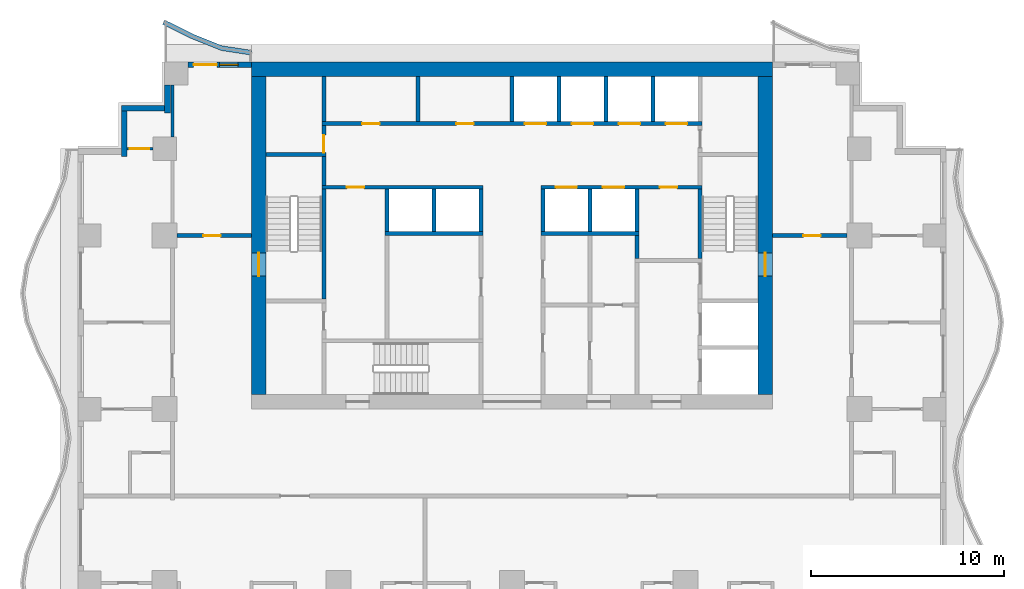
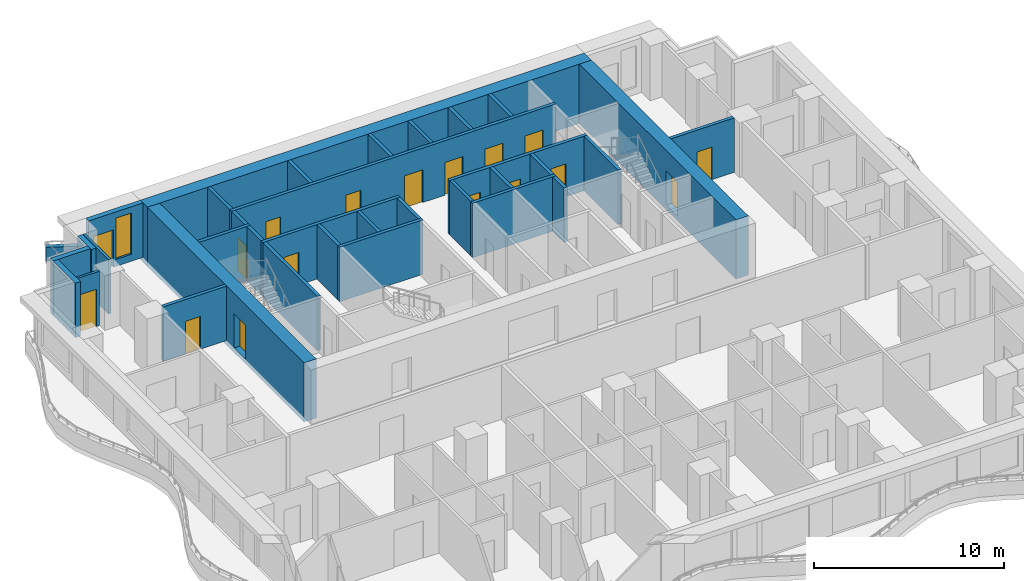
# One storey, part 5 of 10: 35 walls, 17 doors, 1 window, 18 openings.
"""IFC4 building model written with IfcOpenShell, lengths in metres."""

import ifcopenshell
import ifcopenshell.guid

model = None  # the IFC model being written
_history = None  # IfcOwnerHistory: only IFC2X3 demands one
_inside = {}  # id of a spatial element -> (the spatial element, [elements in it])
_under = {}  # id of a project, library or spatial element -> (it, [spatial elements below it])
_declared = {}  # id of a project -> (the project, [libraries it declares])
_typed = {}  # id of a type object -> (the type object, [elements of that type])
_made_of = {}  # id of a material, layer set ... -> (it, [elements and type objects made of it])


def new_model(schema):
    """Start an empty IFC model of exactly this schema.

    Asked for "IFC4X3", IfcOpenShell would pick the latest addendum, in which some entities
    have other attributes; the version numbers below select the first issue.
    IFC2X3 requires an IfcOwnerHistory on every rooted entity: one is made here for all.
    """
    global model, _history
    if schema == "IFC4X3":
        model = ifcopenshell.file(schema_version=(4, 3, 0, 0))
    else:
        model = ifcopenshell.file(schema=schema)
    _inside.clear()
    _under.clear()
    _declared.clear()
    _typed.clear()
    _made_of.clear()
    _history = None
    if model.schema == "IFC2X3":
        org = make("IfcOrganization", Name="unknown")
        user = make(
            "IfcPersonAndOrganization",
            ThePerson=make("IfcPerson", FamilyName="unknown"),
            TheOrganization=org,
        )
        app = make(
            "IfcApplication",
            ApplicationDeveloper=org,
            Version="unknown",
            ApplicationFullName="unknown",
            ApplicationIdentifier="unknown",
        )
        _history = make(
            "IfcOwnerHistory",
            OwningUser=user,
            OwningApplication=app,
            ChangeAction="ADDED",
            CreationDate=0,
        )
    return model


def make(cls, **values):
    """One entity of the class cls with the attributes given. An attribute that is None is left unset."""
    return model.create_entity(
        cls, **{name: value for name, value in values.items() if value is not None}
    )


def rooted(cls, **values):
    """An entity with a GlobalId (a new one), such as an element, a storey or a relation."""
    return make(cls, GlobalId=ifcopenshell.guid.new(), OwnerHistory=_history, **values)


def si_unit(unit_type, name, prefix=None):
    """IfcSIUnit, for example si_unit("LENGTHUNIT", "METRE", prefix="MILLI")."""
    return make("IfcSIUnit", UnitType=unit_type, Prefix=prefix, Name=name)


def assignment(units):
    """IfcUnitAssignment: the units of a project."""
    return None if units is None else make("IfcUnitAssignment", Units=units)


def point(xyz):
    """IfcCartesianPoint."""
    return None if xyz is None else make("IfcCartesianPoint", Coordinates=xyz)


def direction(xyz):
    """IfcDirection."""
    return None if xyz is None else make("IfcDirection", DirectionRatios=xyz)


def frame(location, z_axis=None, x_axis=None):
    """IfcAxis2Placement3D, a coordinate frame: its origin and axes. An axis left out is left unset."""
    return make(
        "IfcAxis2Placement3D",
        Location=point(location),
        Axis=direction(z_axis),
        RefDirection=direction(x_axis),
    )


def frame_2d(location, x_axis=None):
    """IfcAxis2Placement2D, a coordinate frame in the plane: its origin and x axis."""
    return make(
        "IfcAxis2Placement2D", Location=point(location), RefDirection=direction(x_axis)
    )


def origin():
    """The frame at (0, 0, 0) with its axes left unset."""
    return frame((0.0, 0.0, 0.0))


def place(relative_to, where):
    """IfcLocalPlacement: puts the frame where relative to a parent placement (None: the world)."""
    return make(
        "IfcLocalPlacement", PlacementRelTo=relative_to, RelativePlacement=where
    )


def context(
    kind, dimensions, precision=None, world=None, true_north=None, identifier=None
):
    """IfcGeometricRepresentationContext, for example the 3D "Model" context."""
    return make(
        "IfcGeometricRepresentationContext",
        ContextIdentifier=identifier,
        ContextType=kind,
        CoordinateSpaceDimension=dimensions,
        Precision=precision,
        WorldCoordinateSystem=world,
        TrueNorth=true_north,
    )


def subcontext(parent, identifier, kind, view, scale=None):
    """IfcGeometricRepresentationSubContext, for example "Body" below "Model"."""
    return make(
        "IfcGeometricRepresentationSubContext",
        ContextIdentifier=identifier,
        ContextType=kind,
        ParentContext=parent,
        TargetScale=scale,
        TargetView=view,
    )


def project(units=None, contexts=None):
    """IfcProject with its units and contexts."""
    return rooted(
        "IfcProject",
        Name="project",
        RepresentationContexts=contexts,
        UnitsInContext=assignment(units),
    )


def spatial(cls, under=None, at=None, **own):
    """A site, building, storey or space (cls), placed at a placement, below another one or the project."""
    s = rooted(cls, ObjectPlacement=at, **own)
    if under is not None:
        _under.setdefault(under.id(), (under, []))[1].append(s)
    return s


def polyline(points):
    """IfcPolyline through the points."""
    return make("IfcPolyline", Points=[point(p) for p in points])


def profile(cls, at=None, kind="AREA", **sizes):
    """A parametric profile (cls). Its sizes go by their IFC names, for example OverallWidth=200.0."""
    return make(cls, ProfileType=kind, Position=at, **sizes)


def rectangle(**sizes):
    """IfcRectangleProfileDef."""
    return profile("IfcRectangleProfileDef", **sizes)


def outline(outer, holes=None, kind="AREA"):
    """IfcArbitraryClosedProfileDef: a profile drawn as a closed curve; with holes, ...WithVoids."""
    if holes is None:
        return make("IfcArbitraryClosedProfileDef", ProfileType=kind, OuterCurve=outer)
    return make(
        "IfcArbitraryProfileDefWithVoids",
        ProfileType=kind,
        OuterCurve=outer,
        InnerCurves=holes,
    )


def extrude(swept, where, along, depth):
    """IfcExtrudedAreaSolid: the profile swept, set in the frame where, extruded along a direction by depth."""
    return make(
        "IfcExtrudedAreaSolid",
        SweptArea=swept,
        Position=where,
        ExtrudedDirection=direction(along),
        Depth=depth,
    )


def shape(context_of_items, identifier, shape_type, items):
    """IfcShapeRepresentation: the items that make up one representation, for example the "Body"."""
    return make(
        "IfcShapeRepresentation",
        ContextOfItems=context_of_items,
        RepresentationIdentifier=identifier,
        RepresentationType=shape_type,
        Items=items,
    )


def material(Name=None, Category=None):
    """IfcMaterial."""
    return make("IfcMaterial", Name=Name, Category=Category)


def layer(
    of_material, thickness, ventilated=None, Name=None, Category=None, Priority=None
):
    """IfcMaterialLayer: one layer of a wall or slab, of a material (None: an air gap)."""
    return make(
        "IfcMaterialLayer",
        Material=of_material,
        LayerThickness=thickness,
        IsVentilated=ventilated,
        Name=Name,
        Category=Category,
        Priority=Priority,
    )


def layer_set(layers, Name=None):
    """IfcMaterialLayerSet."""
    return make("IfcMaterialLayerSet", MaterialLayers=layers, LayerSetName=Name)


def made_of(thing, what):
    """Note that an element or type object is made of a material, layer set ...; save() writes the relation."""
    if what is not None:
        _made_of.setdefault(what.id(), (what, []))[1].append(thing)
    return thing


def type_object(cls, material=None, **own):
    """A type object (cls), such as IfcWallType, which elements share."""
    return made_of(rooted(cls, **own), material)


def element(
    cls,
    number,
    at=None,
    inside=None,
    cuts=None,
    type_object=None,
    material=None,
    context=None,
    identifier="Body",
    shape_type=None,
    held_by="IfcProductDefinitionShape",
    body=None,
    shapes=None,
    **own,
):
    """One element of the class cls, such as IfcWall. Its Tag is "e" and its number.

    at: its placement. inside: the storey or other place that contains it. cuts: it is an
    opening in that element (IfcRelVoidsElement). A single representation is given by context,
    identifier, shape_type and body (its items); several are given by shapes. held_by: the class
    of the entity that holds the representations. save() writes the other relations.
    """
    e = rooted(cls, Tag="e%d" % number, ObjectPlacement=at, **own)
    if body is not None:
        shapes = [shape(context, identifier, shape_type, body)]
    if shapes is not None:
        e.Representation = make(held_by, Representations=shapes)
    if inside is not None:
        _inside.setdefault(inside.id(), (inside, []))[1].append(e)
    if cuts is not None:
        rooted(
            "IfcRelVoidsElement", RelatingBuildingElement=cuts, RelatedOpeningElement=e
        )
    if type_object is not None:
        _typed.setdefault(type_object.id(), (type_object, []))[1].append(e)
    return made_of(e, material)


def fill(opening, filler):
    """IfcRelFillsElement: the door or window that sits in an opening."""
    return rooted(
        "IfcRelFillsElement",
        RelatingOpeningElement=opening,
        RelatedBuildingElement=filler,
    )


def aggregate(whole, parts):
    """IfcRelAggregates: a whole, such as a stair, and the parts it consists of."""
    return rooted("IfcRelAggregates", RelatingObject=whole, RelatedObjects=parts)


def save(model, path):
    """Write the relations noted so far, then the file.

    IfcRelAggregates (storeys below a building ...), IfcRelContainedInSpatialStructure (elements
    in a storey), IfcRelDefinesByType, IfcRelAssociatesMaterial and IfcRelDeclares: one each for
    every whole, place, type object, material and project.
    """
    for whole, parts in _under.values():
        aggregate(whole, parts)
    for where, things in _inside.values():
        rooted(
            "IfcRelContainedInSpatialStructure",
            RelatedElements=things,
            RelatingStructure=where,
        )
    for kind, things in _typed.values():
        rooted("IfcRelDefinesByType", RelatedObjects=things, RelatingType=kind)
    for what, things in _made_of.values():
        rooted("IfcRelAssociatesMaterial", RelatedObjects=things, RelatingMaterial=what)
    for by, libraries in _declared.values():
        rooted("IfcRelDeclares", RelatingContext=by, RelatedDefinitions=libraries)
    model.write(path)


model = new_model("IFC4")

# Units and contexts
model_context = context("Model", 3, precision=1e-05, world=origin(), true_north=direction((0.0, 1.0)))
body_context = subcontext(model_context, "Body", "Model", "MODEL_VIEW")
ifc_project = project(units=[si_unit("LENGTHUNIT", "METRE"), si_unit("AREAUNIT", "SQUARE_METRE"), si_unit("VOLUMEUNIT", "CUBIC_METRE"), si_unit("PLANEANGLEUNIT", "RADIAN"), si_unit("MASSUNIT", "GRAM", prefix="KILO")], contexts=[model_context])

# Site, building, storey
site_placement = place(None, origin())
site = spatial("IfcSite", under=ifc_project, at=site_placement, CompositionType="ELEMENT")
building_placement = place(site_placement, origin())
building = spatial("IfcBuilding", under=site, at=building_placement, Name="Orbiselva Terraces", CompositionType="ELEMENT")
storey_placement = place(building_placement, frame((0.0, 0.0, 136.4)))
storey = spatial("IfcBuildingStorey", under=building, at=storey_placement, Name="L34", CompositionType="ELEMENT", Elevation=136.4)

# Wall, opening, door
ifc_material_1 = material(Name="Concrete C80/95", Category="concrete")
ifc_layer_1 = layer(ifc_material_1, 0.75)
ifc_layer_set_1 = layer_set([ifc_layer_1], Name="Concrete C80/95")
wall_type_1 = type_object("IfcWallType", Name="CORE WALL 750", PredefinedType="SHEAR", material=ifc_layer_set_1)
wall_1_placement = place(storey_placement, frame((13.125, 5.25, -0.3), z_axis=(0.0, 0.0, 1.0), x_axis=(0.0, 1.0, 0.0)))
wall_1 = element("IfcWall", 1, at=wall_1_placement, inside=storey, type_object=wall_type_1, Name="Core wall L34 east", PredefinedType="SHEAR", context=body_context, shape_type="SweptSolid", body=[
    extrude(rectangle(XDim=16.5, YDim=0.75, at=frame_2d((8.25, 0.0))), origin(), (0.0, 0.0, 1.0), 3.8),
])
opening_1_placement = place(wall_1_placement, frame((6.15, 0.0, 0.3)))
opening_1 = element("IfcOpeningElement", 2, at=opening_1_placement, cuts=wall_1, Name="Opening DS1200", PredefinedType="OPENING", context=body_context, shape_type="SweptSolid", body=[
    extrude(rectangle(XDim=1.2, YDim=2.2, at=frame_2d((0.6, 1.1))), frame((0.0, 0.385, 0.0), z_axis=(0.0, -1.0, 0.0), x_axis=(1.0, 0.0, 0.0)), (0.0, 0.0, 1.0), 0.77),
])
ifc_material_2 = material(Name="Steel fire door", Category="steel")
door_type_1 = type_object("IfcDoorType", Name="STAIR DOOR 1200", OperationType="NOTDEFINED", PredefinedType="DOOR", material=ifc_material_2)
door_1_placement = place(opening_1_placement, frame((1.2, 0.0, 0.0), z_axis=(0.0, 0.0, 1.0), x_axis=(-1.0, 0.0, 0.0)))
door_1 = element("IfcDoor", 3, at=door_1_placement, inside=storey, type_object=door_type_1, Name="L34 EXIT STAIR S2 door", OperationType="SINGLE_SWING_LEFT", OverallHeight=2.2, OverallWidth=1.2, PredefinedType="DOOR", context=body_context, shape_type="SweptSolid", body=[
    extrude(rectangle(XDim=1.2, YDim=2.2, at=frame_2d((0.6, 1.1))), frame((0.0, 0.025, 0.0), z_axis=(0.0, -1.0, 0.0), x_axis=(1.0, 0.0, 0.0)), (0.0, 0.0, 1.0), 0.05),
])
fill(opening_1, door_1)

wall_2_placement = place(storey_placement, frame((-13.125, 21.75, -0.3), z_axis=(0.0, 0.0, 1.0), x_axis=(0.0, -1.0, 0.0)))
wall_2 = element("IfcWall", 4, at=wall_2_placement, inside=storey, type_object=wall_type_1, Name="Core wall L34 west", PredefinedType="SHEAR", context=body_context, shape_type="SweptSolid", body=[
    extrude(rectangle(XDim=16.5, YDim=0.75, at=frame_2d((8.25, 0.0))), origin(), (0.0, 0.0, 1.0), 3.8),
])
opening_2_placement = place(wall_2_placement, frame((9.15, 0.0, 0.3)))
opening_2 = element("IfcOpeningElement", 5, at=opening_2_placement, cuts=wall_2, Name="Opening DS1200", PredefinedType="OPENING", context=body_context, shape_type="SweptSolid", body=[
    extrude(rectangle(XDim=1.2, YDim=2.2, at=frame_2d((0.6, 1.1))), frame((0.0, 0.385, 0.0), z_axis=(0.0, -1.0, 0.0), x_axis=(1.0, 0.0, 0.0)), (0.0, 0.0, 1.0), 0.77),
])
door_2_placement = place(opening_2_placement, frame((1.2, 0.0, 0.0), z_axis=(0.0, 0.0, 1.0), x_axis=(-1.0, 0.0, 0.0)))
door_2 = element("IfcDoor", 6, at=door_2_placement, inside=storey, type_object=door_type_1, Name="L34 EXIT STAIR S1 door", OperationType="SINGLE_SWING_RIGHT", OverallHeight=2.2, OverallWidth=1.2, PredefinedType="DOOR", context=body_context, shape_type="SweptSolid", body=[
    extrude(rectangle(XDim=1.2, YDim=2.2, at=frame_2d((0.6, 1.1))), frame((0.0, 0.025, 0.0), z_axis=(0.0, -1.0, 0.0), x_axis=(1.0, 0.0, 0.0)), (0.0, 0.0, 1.0), 0.05),
])
fill(opening_2, door_2)

# Wall
ifc_layer_2 = layer(ifc_material_1, 0.75)
ifc_layer_set_2 = layer_set([ifc_layer_2], Name="Concrete C80/95")
wall_type_2 = type_object("IfcWallType", Name="CORE WALL 750 EXTERNAL", PredefinedType="SHEAR", material=ifc_layer_set_2)
wall_3_placement = place(storey_placement, frame((13.5, 22.125, -0.3), z_axis=(0.0, 0.0, 1.0), x_axis=(-1.0, 0.0, 0.0)))
element("IfcWall", 7, at=wall_3_placement, inside=storey, type_object=wall_type_2, Name="Core wall L34 north", PredefinedType="SHEAR", context=body_context, shape_type="SweptSolid", body=[
    extrude(rectangle(XDim=27.0, YDim=0.75, at=frame_2d((13.5, 0.0))), origin(), (0.0, 0.0, 1.0), 3.8),
])

# Wall, opening, door
ifc_material_3 = material(Name="Masonry blockwork", Category="masonry")
ifc_layer_3 = layer(ifc_material_3, 0.2)
ifc_layer_set_3 = layer_set([ifc_layer_3], Name="Masonry blockwork")
wall_type_3 = type_object("IfcWallType", Name="CORE-WALL-PARTITION-200", PredefinedType="PARTITIONING", material=ifc_layer_set_3)
wall_4_placement = place(storey_placement, frame((-9.75, 17.8, 0.0), z_axis=(0.0, 0.0, 1.0), x_axis=(0.0, 1.0, 0.0)))
wall_4 = element("IfcWall", 8, at=wall_4_placement, inside=storey, type_object=wall_type_3, Name="L34 core wall 09", PredefinedType="PARTITIONING", context=body_context, shape_type="SweptSolid", body=[
    extrude(rectangle(XDim=1.4, YDim=0.2, at=frame_2d((0.7, 0.0))), origin(), (0.0, 0.0, 1.0), 3.5),
])
opening_3_placement = place(wall_4_placement, origin())
opening_3 = element("IfcOpeningElement", 9, at=opening_3_placement, cuts=wall_4, Name="Opening DR900", PredefinedType="OPENING", context=body_context, shape_type="SweptSolid", body=[
    extrude(rectangle(XDim=0.9, YDim=2.1, at=frame_2d((0.45, 1.05))), frame((0.0, 0.11, 0.0), z_axis=(0.0, -1.0, 0.0), x_axis=(1.0, 0.0, 0.0)), (0.0, 0.0, 1.0), 0.22),
])
door_type_2 = type_object("IfcDoorType", Name="ROOM DOOR 900", OperationType="NOTDEFINED", PredefinedType="DOOR", material=ifc_material_2)
door_3_placement = place(opening_3_placement, origin())
door_3 = element("IfcDoor", 10, at=door_3_placement, inside=storey, type_object=door_type_2, Name="L34 ELECTRICAL RISER ROOM door", OperationType="SINGLE_SWING_LEFT", OverallHeight=2.1, OverallWidth=0.9, PredefinedType="DOOR", context=body_context, shape_type="SweptSolid", body=[
    extrude(rectangle(XDim=0.9, YDim=2.1, at=frame_2d((0.45, 1.05))), frame((0.0, 0.025, 0.0), z_axis=(0.0, -1.0, 0.0), x_axis=(1.0, 0.0, 0.0)), (0.0, 0.0, 1.0), 0.05),
])
fill(opening_3, door_3)

# Walls
for number, where, z_axis, x_axis, name in (
    (11, (-9.75, 19.4, 0.0), (0.0, 0.0, 1.0), (0.0, 1.0, 0.0), "L34 core wall 11"),
    (12, (-4.875, 19.4, 0.0), (0.0, 0.0, 1.0), (0.0, 1.0, 0.0), "L34 core wall 15"),
):
    element("IfcWall", number, at=place(storey_placement, frame(where, z_axis=z_axis, x_axis=x_axis)), inside=storey, type_object=wall_type_3, Name=name, PredefinedType="PARTITIONING", context=body_context, shape_type="SweptSolid", body=[
        extrude(rectangle(XDim=2.35, YDim=0.2, at=frame_2d((1.175, 0.0))), origin(), (0.0, 0.0, 1.0), 3.5),
    ])
wall_5_placement = place(storey_placement, frame((6.475, 12.3, 0.0), z_axis=(0.0, 0.0, 1.0), x_axis=(0.0, 1.0, 0.0)))
element("IfcWall", 13, at=wall_5_placement, inside=storey, type_object=wall_type_3, Name="L34 core wall 35", PredefinedType="PARTITIONING", context=body_context, shape_type="SweptSolid", body=[
    extrude(rectangle(XDim=1.2, YDim=0.2, at=frame_2d((0.6, 0.0))), origin(), (0.0, 0.0, 1.0), 3.5),
])
ifc_material_4 = material(Name="Concrete C40/50", Category="concrete")
ifc_layer_4 = layer(ifc_material_4, 0.2)
ifc_layer_set_4 = layer_set([ifc_layer_4], Name="Concrete C40/50")
wall_type_4 = type_object("IfcWallType", Name="CORE-WALL-SHAFT-200", PredefinedType="PARTITIONING", material=ifc_layer_set_4)
for number, where, z_axis, x_axis, name in (
    (14, (-6.475, 13.7, 0.0), (0.0, 0.0, 1.0), (0.0, 1.0, 0.0), "L34 core wall 14"),
    (15, (-4.0375, 13.7, 0.0), (0.0, 0.0, 1.0), (0.0, 1.0, 0.0), "L34 core wall 16"),
    (16, (-1.6, 13.7, 0.0), (0.0, 0.0, 1.0), (0.0, 1.0, 0.0), "L34 core wall 19"),
):
    element("IfcWall", number, at=place(storey_placement, frame(where, z_axis=z_axis, x_axis=x_axis)), inside=storey, type_object=wall_type_4, Name=name, PredefinedType="PARTITIONING", context=body_context, shape_type="SweptSolid", body=[
        extrude(rectangle(XDim=2.2, YDim=0.2, at=frame_2d((1.1, 0.0))), origin(), (0.0, 0.0, 1.0), 3.5),
    ])
wall_6_placement = place(storey_placement, frame((0.0, 19.4, 0.0), z_axis=(0.0, 0.0, 1.0), x_axis=(0.0, 1.0, 0.0)))
element("IfcWall", 17, at=wall_6_placement, inside=storey, type_object=wall_type_4, Name="L34 core wall 20", PredefinedType="PARTITIONING", context=body_context, shape_type="SweptSolid", body=[
    extrude(rectangle(XDim=2.35, YDim=0.2, at=frame_2d((1.175, 0.0))), origin(), (0.0, 0.0, 1.0), 3.5),
])
wall_7_placement = place(storey_placement, frame((1.6, 13.7, 0.0), z_axis=(0.0, 0.0, 1.0), x_axis=(0.0, 1.0, 0.0)))
element("IfcWall", 18, at=wall_7_placement, inside=storey, type_object=wall_type_4, Name="L34 core wall 25", PredefinedType="PARTITIONING", context=body_context, shape_type="SweptSolid", body=[
    extrude(rectangle(XDim=2.2, YDim=0.2, at=frame_2d((1.1, 0.0))), origin(), (0.0, 0.0, 1.0), 3.5),
])
wall_8_placement = place(storey_placement, frame((2.4375, 19.4, 0.0), z_axis=(0.0, 0.0, 1.0), x_axis=(0.0, 1.0, 0.0)))
element("IfcWall", 19, at=wall_8_placement, inside=storey, type_object=wall_type_4, Name="L34 core wall 27", PredefinedType="PARTITIONING", context=body_context, shape_type="SweptSolid", body=[
    extrude(rectangle(XDim=2.35, YDim=0.2, at=frame_2d((1.175, 0.0))), origin(), (0.0, 0.0, 1.0), 3.5),
])
wall_9_placement = place(storey_placement, frame((4.0375, 13.7, 0.0), z_axis=(0.0, 0.0, 1.0), x_axis=(0.0, 1.0, 0.0)))
element("IfcWall", 20, at=wall_9_placement, inside=storey, type_object=wall_type_4, Name="L34 core wall 30", PredefinedType="PARTITIONING", context=body_context, shape_type="SweptSolid", body=[
    extrude(rectangle(XDim=2.2, YDim=0.2, at=frame_2d((1.1, 0.0))), origin(), (0.0, 0.0, 1.0), 3.5),
])
wall_10_placement = place(storey_placement, frame((4.875, 19.4, 0.0), z_axis=(0.0, 0.0, 1.0), x_axis=(0.0, 1.0, 0.0)))
element("IfcWall", 21, at=wall_10_placement, inside=storey, type_object=wall_type_4, Name="L34 core wall 31", PredefinedType="PARTITIONING", context=body_context, shape_type="SweptSolid", body=[
    extrude(rectangle(XDim=2.35, YDim=0.2, at=frame_2d((1.175, 0.0))), origin(), (0.0, 0.0, 1.0), 3.5),
])
wall_11_placement = place(storey_placement, frame((6.475, 13.7, 0.0), z_axis=(0.0, 0.0, 1.0), x_axis=(0.0, 1.0, 0.0)))
element("IfcWall", 22, at=wall_11_placement, inside=storey, type_object=wall_type_4, Name="L34 core wall 36", PredefinedType="PARTITIONING", context=body_context, shape_type="SweptSolid", body=[
    extrude(rectangle(XDim=2.2, YDim=0.2, at=frame_2d((1.1, 0.0))), origin(), (0.0, 0.0, 1.0), 3.5),
])
wall_12_placement = place(storey_placement, frame((7.3125, 19.4, 0.0), z_axis=(0.0, 0.0, 1.0), x_axis=(0.0, 1.0, 0.0)))
element("IfcWall", 23, at=wall_12_placement, inside=storey, type_object=wall_type_4, Name="L34 core wall 37", PredefinedType="PARTITIONING", context=body_context, shape_type="SweptSolid", body=[
    extrude(rectangle(XDim=2.35, YDim=0.2, at=frame_2d((1.175, 0.0))), origin(), (0.0, 0.0, 1.0), 3.5),
])
ifc_material_5 = material(Name="Concrete C60/75", Category="concrete")
ifc_layer_5 = layer(ifc_material_5, 0.2)
ifc_layer_set_5 = layer_set([ifc_layer_5], Name="Concrete C60/75")
wall_type_5 = type_object("IfcWallType", Name="CORE-WALL-SHEAR-200", PredefinedType="SHEAR", material=ifc_layer_set_5)
wall_13_placement = place(storey_placement, frame((-12.75, 17.7, 0.0), z_axis=(0.0, 0.0, 1.0), x_axis=(1.0, 0.0, 0.0)))
element("IfcWall", 24, at=wall_13_placement, inside=storey, type_object=wall_type_5, Name="L34 core wall 02", PredefinedType="SHEAR", context=body_context, shape_type="SweptSolid", body=[
    extrude(rectangle(XDim=3.1, YDim=0.2, at=frame_2d((1.55, 0.0))), origin(), (0.0, 0.0, 1.0), 3.5),
])
wall_14_placement = place(storey_placement, frame((-9.75, 10.2, 0.0), z_axis=(0.0, 0.0, 1.0), x_axis=(0.0, 1.0, 0.0)))
element("IfcWall", 25, at=wall_14_placement, inside=storey, type_object=wall_type_5, Name="L34 core wall 06", PredefinedType="SHEAR", context=body_context, shape_type="SweptSolid", body=[
    extrude(rectangle(XDim=5.7, YDim=0.2, at=frame_2d((2.85, 0.0))), origin(), (0.0, 0.0, 1.0), 3.5),
])

# Wall, opening, door
wall_15_placement = place(storey_placement, frame((-1.5, 16.0, 0.0), z_axis=(0.0, 0.0, 1.0), x_axis=(-1.0, 0.0, 0.0)))
wall_15 = element("IfcWall", 26, at=wall_15_placement, inside=storey, type_object=wall_type_5, Name="L34 core wall 07", PredefinedType="SHEAR", context=body_context, shape_type="SweptSolid", body=[
    extrude(rectangle(XDim=8.35, YDim=0.2, at=frame_2d((4.175, 0.0))), origin(), (0.0, 0.0, 1.0), 3.5),
])
opening_4_placement = place(wall_15_placement, frame((6.1625, 0.0, 0.0)))
opening_4 = element("IfcOpeningElement", 27, at=opening_4_placement, cuts=wall_15, Name="Opening DR900", PredefinedType="OPENING", context=body_context, shape_type="SweptSolid", body=[
    extrude(rectangle(XDim=0.9, YDim=2.1, at=frame_2d((0.45, 1.05))), frame((0.0, 0.11, 0.0), z_axis=(0.0, -1.0, 0.0), x_axis=(1.0, 0.0, 0.0)), (0.0, 0.0, 1.0), 0.22),
])
door_4_placement = place(opening_4_placement, origin())
door_4 = element("IfcDoor", 28, at=door_4_placement, inside=storey, type_object=door_type_2, Name="L34 STAFF PANTRY door", OperationType="SINGLE_SWING_RIGHT", OverallHeight=2.1, OverallWidth=0.9, PredefinedType="DOOR", context=body_context, shape_type="SweptSolid", body=[
    extrude(rectangle(XDim=0.9, YDim=2.1, at=frame_2d((0.45, 1.05))), frame((0.0, 0.025, 0.0), z_axis=(0.0, -1.0, 0.0), x_axis=(1.0, 0.0, 0.0)), (0.0, 0.0, 1.0), 0.05),
])
fill(opening_4, door_4)

# Wall
wall_16_placement = place(storey_placement, frame((-9.75, 16.1, 0.0), z_axis=(0.0, 0.0, 1.0), x_axis=(0.0, 1.0, 0.0)))
element("IfcWall", 29, at=wall_16_placement, inside=storey, type_object=wall_type_5, Name="L34 core wall 08", PredefinedType="SHEAR", context=body_context, shape_type="SweptSolid", body=[
    extrude(rectangle(XDim=1.5, YDim=0.2, at=frame_2d((0.75, 0.0))), origin(), (0.0, 0.0, 1.0), 3.5),
])

# Wall, openings, doors
wall_17_placement = place(storey_placement, frame((-9.85, 19.3, 0.0), z_axis=(0.0, 0.0, 1.0), x_axis=(1.0, 0.0, 0.0)))
wall_17 = element("IfcWall", 30, at=wall_17_placement, inside=storey, type_object=wall_type_5, Name="L34 core wall 10", PredefinedType="SHEAR", context=body_context, shape_type="SweptSolid", body=[
    extrude(rectangle(XDim=19.7, YDim=0.2, at=frame_2d((9.85, 0.0))), origin(), (0.0, 0.0, 1.0), 3.5),
])
opening_5_placement = place(wall_17_placement, frame((10.51875, 0.0, 0.0)))
opening_5 = element("IfcOpeningElement", 31, at=opening_5_placement, cuts=wall_17, Name="Opening LD-HR1", PredefinedType="OPENING", context=body_context, shape_type="SweptSolid", body=[
    extrude(rectangle(XDim=1.1, YDim=2.1, at=frame_2d((0.55, 1.05))), frame((0.0, 0.11, 0.0), z_axis=(0.0, -1.0, 0.0), x_axis=(1.0, 0.0, 0.0)), (0.0, 0.0, 1.0), 0.22),
])
opening_6_placement = place(wall_17_placement, frame((12.95625, 0.0, 0.0)))
opening_6 = element("IfcOpeningElement", 32, at=opening_6_placement, cuts=wall_17, Name="Opening LD-HR2", PredefinedType="OPENING", context=body_context, shape_type="SweptSolid", body=[
    extrude(rectangle(XDim=1.1, YDim=2.1, at=frame_2d((0.55, 1.05))), frame((0.0, 0.11, 0.0), z_axis=(0.0, -1.0, 0.0), x_axis=(1.0, 0.0, 0.0)), (0.0, 0.0, 1.0), 0.22),
])
opening_7_placement = place(wall_17_placement, frame((15.39375, 0.0, 0.0)))
opening_7 = element("IfcOpeningElement", 33, at=opening_7_placement, cuts=wall_17, Name="Opening LD-HR3", PredefinedType="OPENING", context=body_context, shape_type="SweptSolid", body=[
    extrude(rectangle(XDim=1.1, YDim=2.1, at=frame_2d((0.55, 1.05))), frame((0.0, 0.11, 0.0), z_axis=(0.0, -1.0, 0.0), x_axis=(1.0, 0.0, 0.0)), (0.0, 0.0, 1.0), 0.22),
])
opening_8_placement = place(wall_17_placement, frame((17.83125, 0.0, 0.0)))
opening_8 = element("IfcOpeningElement", 34, at=opening_8_placement, cuts=wall_17, Name="Opening LD-HR4", PredefinedType="OPENING", context=body_context, shape_type="SweptSolid", body=[
    extrude(rectangle(XDim=1.1, YDim=2.1, at=frame_2d((0.55, 1.05))), frame((0.0, 0.11, 0.0), z_axis=(0.0, -1.0, 0.0), x_axis=(1.0, 0.0, 0.0)), (0.0, 0.0, 1.0), 0.22),
])
opening_9_placement = place(wall_17_placement, frame((2.0875, 0.0, 0.0)))
opening_9 = element("IfcOpeningElement", 35, at=opening_9_placement, cuts=wall_17, Name="Opening DR900", PredefinedType="OPENING", context=body_context, shape_type="SweptSolid", body=[
    extrude(rectangle(XDim=0.9, YDim=2.1, at=frame_2d((0.45, 1.05))), frame((0.0, 0.11, 0.0), z_axis=(0.0, -1.0, 0.0), x_axis=(1.0, 0.0, 0.0)), (0.0, 0.0, 1.0), 0.22),
])
opening_10_placement = place(wall_17_placement, frame((6.9625, 0.0, 0.0)))
opening_10 = element("IfcOpeningElement", 36, at=opening_10_placement, cuts=wall_17, Name="Opening DR900", PredefinedType="OPENING", context=body_context, shape_type="SweptSolid", body=[
    extrude(rectangle(XDim=0.9, YDim=2.1, at=frame_2d((0.45, 1.05))), frame((0.0, 0.11, 0.0), z_axis=(0.0, -1.0, 0.0), x_axis=(1.0, 0.0, 0.0)), (0.0, 0.0, 1.0), 0.22),
])
ifc_material_6 = material(Name="Stainless steel landing door", Category="steel")
door_type_3 = type_object("IfcDoorType", Name="LANDING DOOR 1100", OperationType="SLIDING_TO_LEFT", PredefinedType="DOOR", material=ifc_material_6)
door_5_placement = place(opening_5_placement, origin())
door_5 = element("IfcDoor", 37, at=door_5_placement, inside=storey, type_object=door_type_3, Name="L34 landing door HR1", OperationType="SLIDING_TO_RIGHT", OverallHeight=2.1, OverallWidth=1.1, PredefinedType="DOOR", context=body_context, shape_type="SweptSolid", body=[
    extrude(rectangle(XDim=1.1, YDim=2.1, at=frame_2d((0.55, 1.05))), frame((0.0, 0.025, 0.0), z_axis=(0.0, -1.0, 0.0), x_axis=(1.0, 0.0, 0.0)), (0.0, 0.0, 1.0), 0.05),
])
fill(opening_5, door_5)
door_6_placement = place(opening_6_placement, origin())
door_6 = element("IfcDoor", 38, at=door_6_placement, inside=storey, type_object=door_type_3, Name="L34 landing door HR2", OperationType="SLIDING_TO_RIGHT", OverallHeight=2.1, OverallWidth=1.1, PredefinedType="DOOR", context=body_context, shape_type="SweptSolid", body=[
    extrude(rectangle(XDim=1.1, YDim=2.1, at=frame_2d((0.55, 1.05))), frame((0.0, 0.025, 0.0), z_axis=(0.0, -1.0, 0.0), x_axis=(1.0, 0.0, 0.0)), (0.0, 0.0, 1.0), 0.05),
])
fill(opening_6, door_6)
door_7_placement = place(opening_7_placement, origin())
door_7 = element("IfcDoor", 39, at=door_7_placement, inside=storey, type_object=door_type_3, Name="L34 landing door HR3", OperationType="SLIDING_TO_RIGHT", OverallHeight=2.1, OverallWidth=1.1, PredefinedType="DOOR", context=body_context, shape_type="SweptSolid", body=[
    extrude(rectangle(XDim=1.1, YDim=2.1, at=frame_2d((0.55, 1.05))), frame((0.0, 0.025, 0.0), z_axis=(0.0, -1.0, 0.0), x_axis=(1.0, 0.0, 0.0)), (0.0, 0.0, 1.0), 0.05),
])
fill(opening_7, door_7)
door_8_placement = place(opening_8_placement, origin())
door_8 = element("IfcDoor", 40, at=door_8_placement, inside=storey, type_object=door_type_3, Name="L34 landing door HR4", OperationType="SLIDING_TO_RIGHT", OverallHeight=2.1, OverallWidth=1.1, PredefinedType="DOOR", context=body_context, shape_type="SweptSolid", body=[
    extrude(rectangle(XDim=1.1, YDim=2.1, at=frame_2d((0.55, 1.05))), frame((0.0, 0.025, 0.0), z_axis=(0.0, -1.0, 0.0), x_axis=(1.0, 0.0, 0.0)), (0.0, 0.0, 1.0), 0.05),
])
fill(opening_8, door_8)
door_9_placement = place(opening_9_placement, origin())
door_9 = element("IfcDoor", 41, at=door_9_placement, inside=storey, type_object=door_type_2, Name="L34 PANTRY door", OperationType="SINGLE_SWING_LEFT", OverallHeight=2.1, OverallWidth=0.9, PredefinedType="DOOR", context=body_context, shape_type="SweptSolid", body=[
    extrude(rectangle(XDim=0.9, YDim=2.1, at=frame_2d((0.45, 1.05))), frame((0.0, 0.025, 0.0), z_axis=(0.0, -1.0, 0.0), x_axis=(1.0, 0.0, 0.0)), (0.0, 0.0, 1.0), 0.05),
])
fill(opening_9, door_9)
door_10_placement = place(opening_10_placement, origin())
door_10 = element("IfcDoor", 42, at=door_10_placement, inside=storey, type_object=door_type_2, Name="L34 STAFF LOUNGE door", OperationType="SINGLE_SWING_LEFT", OverallHeight=2.1, OverallWidth=0.9, PredefinedType="DOOR", context=body_context, shape_type="SweptSolid", body=[
    extrude(rectangle(XDim=0.9, YDim=2.1, at=frame_2d((0.45, 1.05))), frame((0.0, 0.025, 0.0), z_axis=(0.0, -1.0, 0.0), x_axis=(1.0, 0.0, 0.0)), (0.0, 0.0, 1.0), 0.05),
])
fill(opening_10, door_10)

# Walls
for number, where, z_axis, x_axis, name in (
    (43, (-6.575, 13.6, 0.0), (0.0, 0.0, 1.0), (1.0, 0.0, 0.0), "L34 core wall 13"),
    (44, (1.5, 13.6, 0.0), (0.0, 0.0, 1.0), (1.0, 0.0, 0.0), "L34 core wall 24"),
):
    element("IfcWall", number, at=place(storey_placement, frame(where, z_axis=z_axis, x_axis=x_axis)), inside=storey, type_object=wall_type_5, Name=name, PredefinedType="SHEAR", context=body_context, shape_type="SweptSolid", body=[
        extrude(rectangle(XDim=5.075, YDim=0.2, at=frame_2d((2.5375, 0.0))), origin(), (0.0, 0.0, 1.0), 3.5),
    ])

# Wall, openings, doors
wall_18_placement = place(storey_placement, frame((9.85, 16.0, 0.0), z_axis=(0.0, 0.0, 1.0), x_axis=(-1.0, 0.0, 0.0)))
wall_18 = element("IfcWall", 45, at=wall_18_placement, inside=storey, type_object=wall_type_5, Name="L34 core wall 26", PredefinedType="SHEAR", context=body_context, shape_type="SweptSolid", body=[
    extrude(rectangle(XDim=8.35, YDim=0.2, at=frame_2d((4.175, 0.0))), origin(), (0.0, 0.0, 1.0), 3.5),
])
opening_11_placement = place(wall_18_placement, frame((6.48125, 0.0, 0.0)))
opening_11 = element("IfcOpeningElement", 46, at=opening_11_placement, cuts=wall_18, Name="Opening LD-HR5", PredefinedType="OPENING", context=body_context, shape_type="SweptSolid", body=[
    extrude(rectangle(XDim=1.1, YDim=2.1, at=frame_2d((0.55, 1.05))), frame((0.0, 0.11, 0.0), z_axis=(0.0, -1.0, 0.0), x_axis=(1.0, 0.0, 0.0)), (0.0, 0.0, 1.0), 0.22),
])
opening_12_placement = place(wall_18_placement, frame((4.04375, 0.0, 0.0)))
opening_12 = element("IfcOpeningElement", 47, at=opening_12_placement, cuts=wall_18, Name="Opening LD-HR6", PredefinedType="OPENING", context=body_context, shape_type="SweptSolid", body=[
    extrude(rectangle(XDim=1.1, YDim=2.1, at=frame_2d((0.55, 1.05))), frame((0.0, 0.11, 0.0), z_axis=(0.0, -1.0, 0.0), x_axis=(1.0, 0.0, 0.0)), (0.0, 0.0, 1.0), 0.22),
])
opening_13_placement = place(wall_18_placement, frame((1.2875, 0.0, 0.0)))
opening_13 = element("IfcOpeningElement", 48, at=opening_13_placement, cuts=wall_18, Name="Opening DR900", PredefinedType="OPENING", context=body_context, shape_type="SweptSolid", body=[
    extrude(rectangle(XDim=0.9, YDim=2.1, at=frame_2d((0.45, 1.05))), frame((0.0, 0.11, 0.0), z_axis=(0.0, -1.0, 0.0), x_axis=(1.0, 0.0, 0.0)), (0.0, 0.0, 1.0), 0.22),
])
door_11_placement = place(opening_11_placement, origin())
door_11 = element("IfcDoor", 49, at=door_11_placement, inside=storey, type_object=door_type_3, Name="L34 landing door HR5", OperationType="SLIDING_TO_RIGHT", OverallHeight=2.1, OverallWidth=1.1, PredefinedType="DOOR", context=body_context, shape_type="SweptSolid", body=[
    extrude(rectangle(XDim=1.1, YDim=2.1, at=frame_2d((0.55, 1.05))), frame((0.0, 0.025, 0.0), z_axis=(0.0, -1.0, 0.0), x_axis=(1.0, 0.0, 0.0)), (0.0, 0.0, 1.0), 0.05),
])
fill(opening_11, door_11)
door_12_placement = place(opening_12_placement, origin())
door_12 = element("IfcDoor", 50, at=door_12_placement, inside=storey, type_object=door_type_3, Name="L34 landing door HR6", OperationType="SLIDING_TO_RIGHT", OverallHeight=2.1, OverallWidth=1.1, PredefinedType="DOOR", context=body_context, shape_type="SweptSolid", body=[
    extrude(rectangle(XDim=1.1, YDim=2.1, at=frame_2d((0.55, 1.05))), frame((0.0, 0.025, 0.0), z_axis=(0.0, -1.0, 0.0), x_axis=(1.0, 0.0, 0.0)), (0.0, 0.0, 1.0), 0.05),
])
fill(opening_12, door_12)
door_13_placement = place(opening_13_placement, origin())
door_13 = element("IfcDoor", 51, at=door_13_placement, inside=storey, type_object=door_type_2, Name="L34 PIPE RISER ROOM door", OperationType="SINGLE_SWING_LEFT", OverallHeight=2.1, OverallWidth=0.9, PredefinedType="DOOR", context=body_context, shape_type="SweptSolid", body=[
    extrude(rectangle(XDim=0.9, YDim=2.1, at=frame_2d((0.45, 1.05))), frame((0.0, 0.025, 0.0), z_axis=(0.0, -1.0, 0.0), x_axis=(1.0, 0.0, 0.0)), (0.0, 0.0, 1.0), 0.05),
])
fill(opening_13, door_13)

# Walls
wall_19_placement = place(storey_placement, frame((9.75, 12.3, 0.0), z_axis=(0.0, 0.0, 1.0), x_axis=(0.0, 1.0, 0.0)))
element("IfcWall", 52, at=wall_19_placement, inside=storey, type_object=wall_type_5, Name="L34 core wall 43", PredefinedType="SHEAR", context=body_context, shape_type="SweptSolid", body=[
    extrude(rectangle(XDim=3.6, YDim=0.2, at=frame_2d((1.8, 0.0))), origin(), (0.0, 0.0, 1.0), 3.5),
])
ifc_layer_6 = layer(ifc_material_4, 0.25)
ifc_layer_set_6 = layer_set([ifc_layer_6], Name="Concrete C40/50")
wall_type_6 = type_object("IfcWallType", Name="ENV-PLANTER-250x900", PredefinedType="USERDEFINED", material=ifc_layer_set_6)
wall_20_placement = place(storey_placement, origin())
element("IfcWall", 53, at=wall_20_placement, inside=storey, type_object=wall_type_6, Name="Balcony planter L34 NW", ObjectType="PLANTER", PredefinedType="USERDEFINED", context=body_context, shape_type="SweptSolid", body=[
    extrude(outline(polyline([(-13.5, 23.1), (-15.0, 23.32918), (-16.5, 23.92918), (-18.0, 24.67082), (-18.110803, 24.446716), (-16.601983, 23.700715), (-15.066166, 23.086388), (-13.537758, 22.852868), (-13.5, 23.1)])), origin(), (0.0, 0.0, 1.0), 0.9),
])

# Wall, openings, door, window
ifc_material_7 = material(Name="Terracotta cladding on masonry backing", Category="masonry")
ifc_layer_7 = layer(ifc_material_7, 0.3)
ifc_layer_set_7 = layer_set([ifc_layer_7], Name="Terracotta cladding on masonry backing")
wall_type_7 = type_object("IfcWallType", Name="ENV-WALL-TERRACOTTA-300", PredefinedType="SOLIDWALL", material=ifc_layer_set_7)
wall_21_placement = place(storey_placement, frame((-16.8, 22.35, 0.0), z_axis=(0.0, 0.0, 1.0), x_axis=(1.0, 0.0, 0.0)))
wall_21 = element("IfcWall", 54, at=wall_21_placement, inside=storey, type_object=wall_type_7, Name="Facade wall L34 NW", PredefinedType="SOLIDWALL", context=body_context, shape_type="SweptSolid", body=[
    extrude(rectangle(XDim=3.3, YDim=0.3, at=frame_2d((1.65, 0.0))), origin(), (0.0, 0.0, 1.0), 3.5),
])
opening_14_placement = place(wall_21_placement, frame((1.65, 0.0, 0.45)))
opening_14 = element("IfcOpeningElement", 55, at=opening_14_placement, cuts=wall_21, Name="Opening WN9", PredefinedType="OPENING", context=body_context, shape_type="SweptSolid", body=[
    extrude(rectangle(XDim=0.95, YDim=2.65, at=frame_2d((0.475, 1.325))), frame((0.0, 0.16, 0.0), z_axis=(0.0, -1.0, 0.0), x_axis=(1.0, 0.0, 0.0)), (0.0, 0.0, 1.0), 0.32),
])
opening_15_placement = place(wall_21_placement, frame((0.3, 0.0, 0.0)))
opening_15 = element("IfcOpeningElement", 56, at=opening_15_placement, cuts=wall_21, Name="Opening Z3-B-E08", PredefinedType="OPENING", context=body_context, shape_type="SweptSolid", body=[
    extrude(rectangle(XDim=1.2, YDim=2.4, at=frame_2d((0.6, 1.2))), frame((0.0, 0.16, 0.0), z_axis=(0.0, -1.0, 0.0), x_axis=(1.0, 0.0, 0.0)), (0.0, 0.0, 1.0), 0.32),
])
ifc_material_8 = material(Name="Clear low-e glazing in aluminium frame", Category="aluminium")
door_type_4 = type_object("IfcDoorType", Name="BALCONY DOOR 1200 X 2400", OperationType="DOUBLE_DOOR_SLIDING", PredefinedType="DOOR", material=ifc_material_8)
door_14_placement = place(opening_15_placement, origin())
door_14 = element("IfcDoor", 57, at=door_14_placement, inside=storey, type_object=door_type_4, Name="Z3-B-E08", OperationType="SINGLE_SWING_LEFT", OverallHeight=2.4, OverallWidth=1.2, PredefinedType="DOOR", context=body_context, shape_type="SweptSolid", body=[
    extrude(rectangle(XDim=1.2, YDim=2.4, at=frame_2d((0.6, 1.2))), frame((0.0, 0.025, 0.0), z_axis=(0.0, -1.0, 0.0), x_axis=(1.0, 0.0, 0.0)), (0.0, 0.0, 1.0), 0.05),
])
fill(opening_15, door_14)
window_type = type_object("IfcWindowType", Name="WINDOW 950 X 2650 S450", PartitioningType="TRIPLE_PANEL_VERTICAL", PredefinedType="WINDOW", material=ifc_material_8)
window_placement = place(opening_14_placement, origin())
window = element("IfcWindow", 58, at=window_placement, inside=storey, type_object=window_type, Name="Window L34 NW", OverallHeight=2.65, OverallWidth=0.95, PartitioningType="SINGLE_PANEL", PredefinedType="WINDOW", context=body_context, shape_type="SweptSolid", body=[
    extrude(rectangle(XDim=0.95, YDim=2.65, at=frame_2d((0.475, 1.325))), frame((0.0, 0.03, 0.0), z_axis=(0.0, -1.0, 0.0), x_axis=(1.0, 0.0, 0.0)), (0.0, 0.0, 1.0), 0.06),
])
fill(opening_14, window)

# Walls
wall_22_placement = place(storey_placement, frame((-17.85, 19.85, 0.0), z_axis=(0.0, 0.0, 1.0), x_axis=(0.0, 1.0, 0.0)))
element("IfcWall", 59, at=wall_22_placement, inside=storey, type_object=wall_type_7, Name="Facade wall L34 STEP", PredefinedType="SOLIDWALL", context=body_context, shape_type="SweptSolid", body=[
    extrude(rectangle(XDim=1.45, YDim=0.3, at=frame_2d((0.725, 0.0))), origin(), (0.0, 0.0, 1.0), 3.5),
])
wall_23_placement = place(storey_placement, frame((-20.25, 20.1, 0.0), z_axis=(0.0, 0.0, 1.0), x_axis=(1.0, 0.0, 0.0)))
element("IfcWall", 60, at=wall_23_placement, inside=storey, type_object=wall_type_7, Name="Facade wall L34 STEP", PredefinedType="SOLIDWALL", context=body_context, shape_type="SweptSolid", body=[
    extrude(rectangle(XDim=2.25, YDim=0.3, at=frame_2d((1.125, 0.0))), origin(), (0.0, 0.0, 1.0), 3.5),
])
wall_24_placement = place(storey_placement, frame((-20.1, 17.6, 0.0), z_axis=(0.0, 0.0, 1.0), x_axis=(0.0, 1.0, 0.0)))
element("IfcWall", 61, at=wall_24_placement, inside=storey, type_object=wall_type_7, Name="Facade wall L34 STEP", PredefinedType="SOLIDWALL", context=body_context, shape_type="SweptSolid", body=[
    extrude(rectangle(XDim=2.35, YDim=0.3, at=frame_2d((1.175, 0.0))), origin(), (0.0, 0.0, 1.0), 3.5),
])

# Wall, opening, door
ifc_material_9 = material(Name="Plasterboard on steel stud partition", Category="steel")
ifc_layer_8 = layer(ifc_material_9, 0.2)
ifc_layer_set_8 = layer_set([ifc_layer_8], Name="Plasterboard on steel stud partition")
wall_type_8 = type_object("IfcWallType", Name="UNIT-ENTRANCE-WALL-200", PredefinedType="PARTITIONING", material=ifc_layer_set_8)
wall_25_placement = place(storey_placement, frame((-17.35, 13.5, 0.0), z_axis=(0.0, 0.0, 1.0), x_axis=(1.0, 0.0, 0.0)))
wall_25 = element("IfcWall", 62, at=wall_25_placement, inside=storey, type_object=wall_type_8, Name="PARTITION L34-036", PredefinedType="PARTITIONING", context=body_context, shape_type="SweptSolid", body=[
    extrude(rectangle(XDim=3.85, YDim=0.2, at=frame_2d((1.925, 0.0))), origin(), (0.0, 0.0, 1.0), 3.5),
])
opening_16_placement = place(wall_25_placement, frame((1.35, 0.0, 0.0)))
opening_16 = element("IfcOpeningElement", 63, at=opening_16_placement, cuts=wall_25, Name="Opening Z3-B-01", PredefinedType="OPENING", context=body_context, shape_type="SweptSolid", body=[
    extrude(rectangle(XDim=0.9, YDim=2.1, at=frame_2d((0.45, 1.05))), frame((0.0, 0.11, 0.0), z_axis=(0.0, -1.0, 0.0), x_axis=(1.0, 0.0, 0.0)), (0.0, 0.0, 1.0), 0.22),
])
ifc_material_10 = material(Name="Painted timber door leaf", Category="wood")
door_type_5 = type_object("IfcDoorType", Name="SERVICE DOOR 900", OperationType="NOTDEFINED", PredefinedType="DOOR", material=ifc_material_10)
door_15_placement = place(opening_16_placement, origin())
door_15 = element("IfcDoor", 64, at=door_15_placement, inside=storey, type_object=door_type_5, Name="Z3-B-01", OperationType="SINGLE_SWING_LEFT", OverallHeight=2.1, OverallWidth=0.9, PredefinedType="DOOR", context=body_context, shape_type="SweptSolid", body=[
    extrude(rectangle(XDim=0.9, YDim=2.1, at=frame_2d((0.45, 1.05))), frame((0.0, 0.025, 0.0), z_axis=(0.0, -1.0, 0.0), x_axis=(1.0, 0.0, 0.0)), (0.0, 0.0, 1.0), 0.05),
])
fill(opening_16, door_15)

wall_26_placement = place(storey_placement, frame((13.5, 13.5, 0.0), z_axis=(0.0, 0.0, 1.0), x_axis=(1.0, 0.0, 0.0)))
wall_26 = element("IfcWall", 65, at=wall_26_placement, inside=storey, type_object=wall_type_8, Name="PARTITION L34-037", PredefinedType="PARTITIONING", context=body_context, shape_type="SweptSolid", body=[
    extrude(rectangle(XDim=3.85, YDim=0.2, at=frame_2d((1.925, 0.0))), origin(), (0.0, 0.0, 1.0), 3.5),
])
opening_17_placement = place(wall_26_placement, frame((1.6, 0.0, 0.0)))
opening_17 = element("IfcOpeningElement", 66, at=opening_17_placement, cuts=wall_26, Name="Opening Z3-B-02", PredefinedType="OPENING", context=body_context, shape_type="SweptSolid", body=[
    extrude(rectangle(XDim=0.9, YDim=2.1, at=frame_2d((0.45, 1.05))), frame((0.0, 0.11, 0.0), z_axis=(0.0, -1.0, 0.0), x_axis=(1.0, 0.0, 0.0)), (0.0, 0.0, 1.0), 0.22),
])
door_16_placement = place(opening_17_placement, origin())
door_16 = element("IfcDoor", 67, at=door_16_placement, inside=storey, type_object=door_type_5, Name="Z3-B-02", OperationType="SINGLE_SWING_RIGHT", OverallHeight=2.1, OverallWidth=0.9, PredefinedType="DOOR", context=body_context, shape_type="SweptSolid", body=[
    extrude(rectangle(XDim=0.9, YDim=2.1, at=frame_2d((0.45, 1.05))), frame((0.0, 0.025, 0.0), z_axis=(0.0, -1.0, 0.0), x_axis=(1.0, 0.0, 0.0)), (0.0, 0.0, 1.0), 0.05),
])
fill(opening_17, door_16)

ifc_layer_9 = layer(ifc_material_9, 0.15)
ifc_layer_set_9 = layer_set([ifc_layer_9], Name="Plasterboard on steel stud partition")
wall_type_9 = type_object("IfcWallType", Name="UNIT-PARTITION-150", PredefinedType="PARTITIONING", material=ifc_layer_set_9)
wall_27_placement = place(storey_placement, frame((-19.95, 18.0, 0.0), z_axis=(0.0, 0.0, 1.0), x_axis=(1.0, 0.0, 0.0)))
wall_27 = element("IfcWall", 68, at=wall_27_placement, inside=storey, type_object=wall_type_9, Name="PARTITION L34-039", PredefinedType="PARTITIONING", context=body_context, shape_type="SweptSolid", body=[
    extrude(rectangle(XDim=1.35, YDim=0.15, at=frame_2d((0.675, 0.0))), origin(), (0.0, 0.0, 1.0), 3.5),
])
opening_18_placement = place(wall_27_placement, frame((0.15, 0.0, 0.0)))
opening_18 = element("IfcOpeningElement", 69, at=opening_18_placement, cuts=wall_27, Name="Opening Z3-B-07", PredefinedType="OPENING", context=body_context, shape_type="SweptSolid", body=[
    extrude(rectangle(XDim=1.0, YDim=2.4, at=frame_2d((0.5, 1.2))), frame((0.0, 0.085, 0.0), z_axis=(0.0, -1.0, 0.0), x_axis=(1.0, 0.0, 0.0)), (0.0, 0.0, 1.0), 0.17),
])
door_type_6 = type_object("IfcDoorType", Name="ROOM DOOR 1000", OperationType="NOTDEFINED", PredefinedType="DOOR", material=ifc_material_10)
door_17_placement = place(opening_18_placement, origin())
door_17 = element("IfcDoor", 70, at=door_17_placement, inside=storey, type_object=door_type_6, Name="Z3-B-07", OperationType="SINGLE_SWING_LEFT", OverallHeight=2.4, OverallWidth=1.0, PredefinedType="DOOR", context=body_context, shape_type="SweptSolid", body=[
    extrude(rectangle(XDim=1.0, YDim=2.4, at=frame_2d((0.5, 1.2))), frame((0.0, 0.025, 0.0), z_axis=(0.0, -1.0, 0.0), x_axis=(1.0, 0.0, 0.0)), (0.0, 0.0, 1.0), 0.05),
])
fill(opening_18, door_17)

# Wall
wall_28_placement = place(storey_placement, frame((-17.6, 18.6, 0.0), z_axis=(0.0, 0.0, 1.0), x_axis=(0.0, 1.0, 0.0)))
element("IfcWall", 71, at=wall_28_placement, inside=storey, type_object=wall_type_9, Name="PARTITION L34-045", PredefinedType="PARTITIONING", context=body_context, shape_type="SweptSolid", body=[
    extrude(rectangle(XDim=2.7, YDim=0.15, at=frame_2d((1.35, 0.0))), origin(), (0.0, 0.0, 1.0), 3.5),
])

save(model, "model.ifc")
